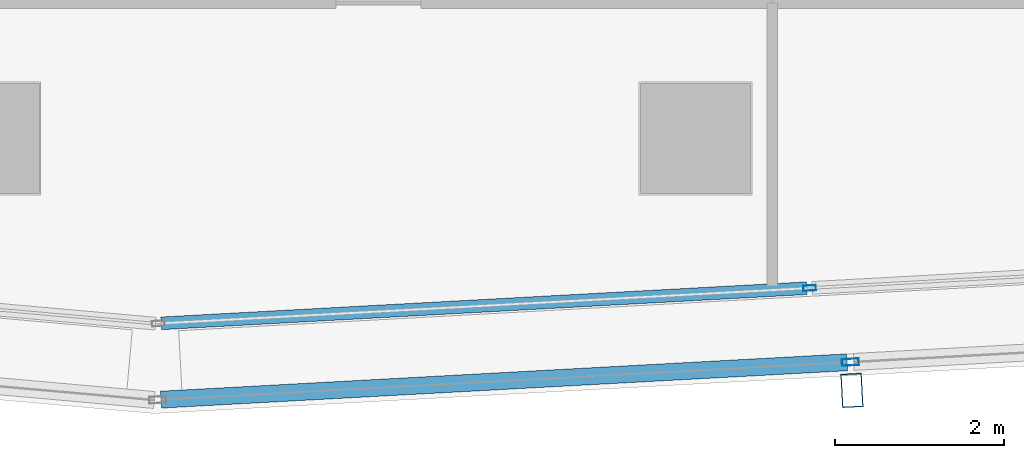
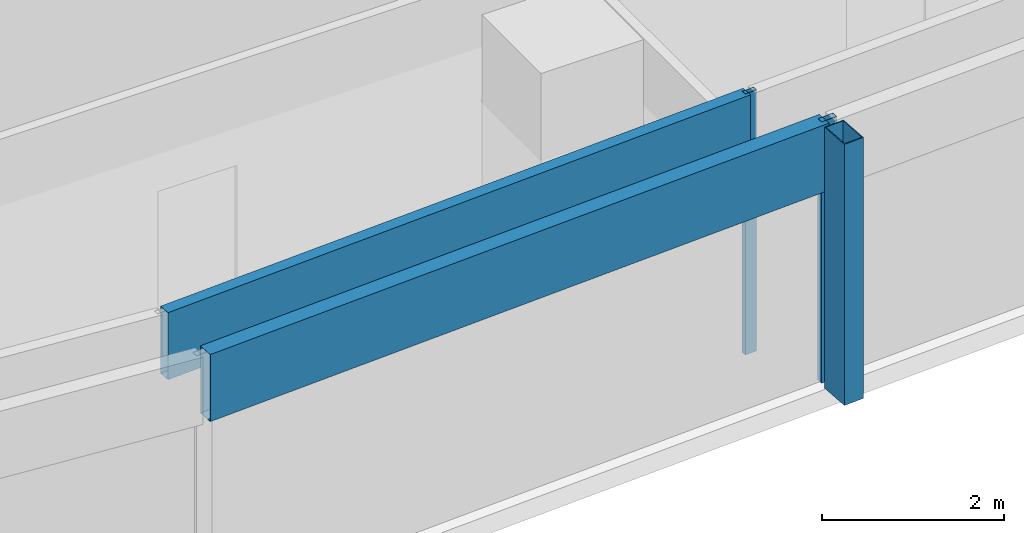
# One storey, part 6 of 28: 5 members, 2 elements without a shape of their own.
"""IFC4 building model written with IfcOpenShell, lengths in metres."""

import ifcopenshell
import ifcopenshell.guid

model = None  # the IFC model being written
_history = None  # IfcOwnerHistory: only IFC2X3 demands one
_inside = {}  # id of a spatial element -> (the spatial element, [elements in it])
_under = {}  # id of a project, library or spatial element -> (it, [spatial elements below it])
_declared = {}  # id of a project -> (the project, [libraries it declares])
_typed = {}  # id of a type object -> (the type object, [elements of that type])
_made_of = {}  # id of a material, layer set ... -> (it, [elements and type objects made of it])


def new_model(schema):
    """Start an empty IFC model of exactly this schema.

    Asked for "IFC4X3", IfcOpenShell would pick the latest addendum, in which some entities
    have other attributes; the version numbers below select the first issue.
    IFC2X3 requires an IfcOwnerHistory on every rooted entity: one is made here for all.
    """
    global model, _history
    if schema == "IFC4X3":
        model = ifcopenshell.file(schema_version=(4, 3, 0, 0))
    else:
        model = ifcopenshell.file(schema=schema)
    _inside.clear()
    _under.clear()
    _declared.clear()
    _typed.clear()
    _made_of.clear()
    _history = None
    if model.schema == "IFC2X3":
        org = make("IfcOrganization", Name="unknown")
        user = make(
            "IfcPersonAndOrganization",
            ThePerson=make("IfcPerson", FamilyName="unknown"),
            TheOrganization=org,
        )
        app = make(
            "IfcApplication",
            ApplicationDeveloper=org,
            Version="unknown",
            ApplicationFullName="unknown",
            ApplicationIdentifier="unknown",
        )
        _history = make(
            "IfcOwnerHistory",
            OwningUser=user,
            OwningApplication=app,
            ChangeAction="ADDED",
            CreationDate=0,
        )
    return model


def make(cls, **values):
    """One entity of the class cls with the attributes given. An attribute that is None is left unset."""
    return model.create_entity(
        cls, **{name: value for name, value in values.items() if value is not None}
    )


def rooted(cls, **values):
    """An entity with a GlobalId (a new one), such as an element, a storey or a relation."""
    return make(cls, GlobalId=ifcopenshell.guid.new(), OwnerHistory=_history, **values)


def si_unit(unit_type, name, prefix=None):
    """IfcSIUnit, for example si_unit("LENGTHUNIT", "METRE", prefix="MILLI")."""
    return make("IfcSIUnit", UnitType=unit_type, Prefix=prefix, Name=name)


def assignment(units):
    """IfcUnitAssignment: the units of a project."""
    return None if units is None else make("IfcUnitAssignment", Units=units)


def point(xyz):
    """IfcCartesianPoint."""
    return None if xyz is None else make("IfcCartesianPoint", Coordinates=xyz)


def direction(xyz):
    """IfcDirection."""
    return None if xyz is None else make("IfcDirection", DirectionRatios=xyz)


def frame(location, z_axis=None, x_axis=None):
    """IfcAxis2Placement3D, a coordinate frame: its origin and axes. An axis left out is left unset."""
    return make(
        "IfcAxis2Placement3D",
        Location=point(location),
        Axis=direction(z_axis),
        RefDirection=direction(x_axis),
    )


def frame_2d(location, x_axis=None):
    """IfcAxis2Placement2D, a coordinate frame in the plane: its origin and x axis."""
    return make(
        "IfcAxis2Placement2D", Location=point(location), RefDirection=direction(x_axis)
    )


def origin():
    """The frame at (0, 0, 0) with its axes left unset."""
    return frame((0.0, 0.0, 0.0))


def origin_2d():
    """The frame at (0, 0) in the plane with its x axis left unset."""
    return frame_2d((0.0, 0.0))


def place(relative_to, where):
    """IfcLocalPlacement: puts the frame where relative to a parent placement (None: the world)."""
    return make(
        "IfcLocalPlacement", PlacementRelTo=relative_to, RelativePlacement=where
    )


def context(
    kind, dimensions, precision=None, world=None, true_north=None, identifier=None
):
    """IfcGeometricRepresentationContext, for example the 3D "Model" context."""
    return make(
        "IfcGeometricRepresentationContext",
        ContextIdentifier=identifier,
        ContextType=kind,
        CoordinateSpaceDimension=dimensions,
        Precision=precision,
        WorldCoordinateSystem=world,
        TrueNorth=true_north,
    )


def subcontext(parent, identifier, kind, view, scale=None):
    """IfcGeometricRepresentationSubContext, for example "Body" below "Model"."""
    return make(
        "IfcGeometricRepresentationSubContext",
        ContextIdentifier=identifier,
        ContextType=kind,
        ParentContext=parent,
        TargetScale=scale,
        TargetView=view,
    )


def project(units=None, contexts=None):
    """IfcProject with its units and contexts."""
    return rooted(
        "IfcProject",
        Name="project",
        RepresentationContexts=contexts,
        UnitsInContext=assignment(units),
    )


def spatial(cls, under=None, at=None, **own):
    """A site, building, storey or space (cls), placed at a placement, below another one or the project."""
    s = rooted(cls, ObjectPlacement=at, **own)
    if under is not None:
        _under.setdefault(under.id(), (under, []))[1].append(s)
    return s


def profile(cls, at=None, kind="AREA", **sizes):
    """A parametric profile (cls). Its sizes go by their IFC names, for example OverallWidth=200.0."""
    return make(cls, ProfileType=kind, Position=at, **sizes)


def hollow_rectangle(**sizes):
    """IfcRectangleHollowProfileDef."""
    return profile("IfcRectangleHollowProfileDef", **sizes)


def extrude(swept, where, along, depth):
    """IfcExtrudedAreaSolid: the profile swept, set in the frame where, extruded along a direction by depth."""
    return make(
        "IfcExtrudedAreaSolid",
        SweptArea=swept,
        Position=where,
        ExtrudedDirection=direction(along),
        Depth=depth,
    )


def shape(context_of_items, identifier, shape_type, items):
    """IfcShapeRepresentation: the items that make up one representation, for example the "Body"."""
    return make(
        "IfcShapeRepresentation",
        ContextOfItems=context_of_items,
        RepresentationIdentifier=identifier,
        RepresentationType=shape_type,
        Items=items,
    )


def material(Name=None, Category=None):
    """IfcMaterial."""
    return make("IfcMaterial", Name=Name, Category=Category)


def material_profile(
    of_material, cross_section, Name=None, Category=None, Priority=None
):
    """IfcMaterialProfile: a cross section and its material."""
    return make(
        "IfcMaterialProfile",
        Name=Name,
        Material=of_material,
        Profile=cross_section,
        Priority=Priority,
        Category=Category,
    )


def profile_set(profiles, Name=None, composite=None):
    """IfcMaterialProfileSet."""
    return make(
        "IfcMaterialProfileSet",
        Name=Name,
        MaterialProfiles=profiles,
        CompositeProfile=composite,
    )


def made_of(thing, what):
    """Note that an element or type object is made of a material, layer set ...; save() writes the relation."""
    if what is not None:
        _made_of.setdefault(what.id(), (what, []))[1].append(thing)
    return thing


def type_object(cls, material=None, **own):
    """A type object (cls), such as IfcWallType, which elements share."""
    return made_of(rooted(cls, **own), material)


def element(
    cls,
    number,
    at=None,
    inside=None,
    cuts=None,
    type_object=None,
    material=None,
    context=None,
    identifier="Body",
    shape_type=None,
    held_by="IfcProductDefinitionShape",
    body=None,
    shapes=None,
    **own,
):
    """One element of the class cls, such as IfcWall. Its Tag is "e" and its number.

    at: its placement. inside: the storey or other place that contains it. cuts: it is an
    opening in that element (IfcRelVoidsElement). A single representation is given by context,
    identifier, shape_type and body (its items); several are given by shapes. held_by: the class
    of the entity that holds the representations. save() writes the other relations.
    """
    e = rooted(cls, Tag="e%d" % number, ObjectPlacement=at, **own)
    if body is not None:
        shapes = [shape(context, identifier, shape_type, body)]
    if shapes is not None:
        e.Representation = make(held_by, Representations=shapes)
    if inside is not None:
        _inside.setdefault(inside.id(), (inside, []))[1].append(e)
    if cuts is not None:
        rooted(
            "IfcRelVoidsElement", RelatingBuildingElement=cuts, RelatedOpeningElement=e
        )
    if type_object is not None:
        _typed.setdefault(type_object.id(), (type_object, []))[1].append(e)
    return made_of(e, material)


def aggregate(whole, parts):
    """IfcRelAggregates: a whole, such as a stair, and the parts it consists of."""
    return rooted("IfcRelAggregates", RelatingObject=whole, RelatedObjects=parts)


def save(model, path):
    """Write the relations noted so far, then the file.

    IfcRelAggregates (storeys below a building ...), IfcRelContainedInSpatialStructure (elements
    in a storey), IfcRelDefinesByType, IfcRelAssociatesMaterial and IfcRelDeclares: one each for
    every whole, place, type object, material and project.
    """
    for whole, parts in _under.values():
        aggregate(whole, parts)
    for where, things in _inside.values():
        rooted(
            "IfcRelContainedInSpatialStructure",
            RelatedElements=things,
            RelatingStructure=where,
        )
    for kind, things in _typed.values():
        rooted("IfcRelDefinesByType", RelatedObjects=things, RelatingType=kind)
    for what, things in _made_of.values():
        rooted("IfcRelAssociatesMaterial", RelatedObjects=things, RelatingMaterial=what)
    for by, libraries in _declared.values():
        rooted("IfcRelDeclares", RelatingContext=by, RelatedDefinitions=libraries)
    model.write(path)


model = new_model("IFC4")

# Units and contexts
model_context = context("Model", 3, precision=1e-05, world=origin(), true_north=direction((0.0, 1.0)))
body_context = subcontext(model_context, "Body", "Model", "MODEL_VIEW")
ifc_project = project(units=[si_unit("LENGTHUNIT", "METRE"), si_unit("AREAUNIT", "SQUARE_METRE"), si_unit("VOLUMEUNIT", "CUBIC_METRE"), si_unit("PLANEANGLEUNIT", "RADIAN"), si_unit("MASSUNIT", "GRAM", prefix="KILO")], contexts=[model_context])

# Site, building, storey
site_placement = place(None, origin())
site = spatial("IfcSite", under=ifc_project, at=site_placement, CompositionType="ELEMENT")
building_placement = place(site_placement, origin())
building = spatial("IfcBuilding", under=site, at=building_placement, Name="Rekha Terrace Tower", CompositionType="ELEMENT")
storey_placement = place(building_placement, frame((0.0, 0.0, 253.85009765625)))
storey = spatial("IfcBuildingStorey", under=building, at=storey_placement, Name="L64", CompositionType="ELEMENT", Elevation=253.85009765625)

# Curtain wall, member
ifc_material_1 = material(Name="Aluminium framing", Category="aluminium")
curtain_wall_type_1 = type_object("IfcCurtainWallType", Name="CW2 double skin outer glazing", PredefinedType="USERDEFINED", material=ifc_material_1)
curtain_wall_1_placement = place(storey_placement, origin())
curtain_wall_1 = element("IfcCurtainWall", 1, at=curtain_wall_1_placement, inside=storey, type_object=curtain_wall_type_1, Name="CW2 double skin outer glazing", ObjectType="DOUBLE SKIN OUTER GLAZING", PredefinedType="USERDEFINED")
ifc_material_2 = material(Name="Steel S355 with fluorocarbon finish", Category="steel")
ifc_material_profile_1 = material_profile(ifc_material_2, hollow_rectangle(XDim=0.25, YDim=0.39990234375, WallThickness=0.012451171875, at=origin_2d()), Name="RHS400x250x12.5")
ifc_profile_set_1 = profile_set([ifc_material_profile_1], Name="Steel S355 with fluorocarbon finish")
member_type_1 = type_object("IfcMemberType", Name="BL1 facade blade RHS 400 x 250", PredefinedType="USERDEFINED", material=ifc_profile_set_1)
member_1_placement = place(storey_placement, frame((35.4482421875, 13.82373046875, 0.0), z_axis=(0.0, 0.0, 1.0), x_axis=(0.99851982155, 0.054389024366, 0.0)))
member_1 = element("IfcMember", 2, at=member_1_placement, type_object=member_type_1, Name="Facade blade", ObjectType="FACADE BLADE", PredefinedType="USERDEFINED", context=body_context, shape_type="SweptSolid", body=[
    extrude(hollow_rectangle(XDim=0.25, YDim=0.39990234375, WallThickness=0.012451171875, at=origin_2d()), origin(), (0.0, 0.0, 1.0), 3.5),
])

# Curtain wall, members
curtain_wall_type_2 = type_object("IfcCurtainWallType", Name="CW1 double skin inner glazing", PredefinedType="USERDEFINED", material=ifc_material_1)
curtain_wall_2_placement = place(storey_placement, origin())
curtain_wall_2 = element("IfcCurtainWall", 3, at=curtain_wall_2_placement, inside=storey, type_object=curtain_wall_type_2, Name="CW1 double skin inner glazing", ObjectType="DOUBLE SKIN INNER GLAZING", PredefinedType="USERDEFINED")
ifc_material_3 = material(Name="Aluminium mullion section", Category="aluminium")
ifc_material_profile_2 = material_profile(ifc_material_3, hollow_rectangle(XDim=0.06494140625, YDim=0.14990234375, WallThickness=0.00390625, at=origin_2d()), Name="AL RHS 65x150")
ifc_profile_set_2 = profile_set([ifc_material_profile_2], Name="Aluminium mullion section")
member_type_2 = type_object("IfcMemberType", Name="CW1 mullion RHS 65 x 150", PredefinedType="MULLION", material=ifc_profile_set_2)
member_2_placement = place(storey_placement, frame((34.94775390625, 15.033447265625, 0.0), z_axis=(0.0, 0.0, 1.0), x_axis=(-0.054388903036, 0.998519828159, 0.0)))
member_2 = element("IfcMember", 4, at=member_2_placement, type_object=member_type_2, Name="CW1 mullion 2", PredefinedType="MULLION", context=body_context, shape_type="SweptSolid", body=[
    extrude(hollow_rectangle(XDim=0.06494140625, YDim=0.14990234375, WallThickness=0.00390625, at=origin_2d()), origin(), (0.0, 0.0, 1.0), 3.5),
])
ifc_material_4 = material(Name="Insulated aluminium spandrel box", Category="aluminium")
ifc_material_profile_3 = material_profile(ifc_material_4, hollow_rectangle(XDim=0.14990234375, YDim=0.89990234375, WallThickness=0.0029296875, at=origin_2d()), Name="AL SPANDREL BOX 150x900")
ifc_profile_set_3 = profile_set([ifc_material_profile_3], Name="Insulated aluminium spandrel box")
member_type_3 = type_object("IfcMemberType", Name="CW1 spandrel transom 150 x 900", PredefinedType="USERDEFINED", material=ifc_profile_set_3)
member_3_placement = place(storey_placement, frame((27.287109375, 14.6162109375, 3.0498046875), z_axis=(0.998521390426, 0.054360213958, 0.0), x_axis=(-0.054360213958, 0.998521390426, 0.0)))
member_3 = element("IfcMember", 5, at=member_3_placement, type_object=member_type_3, Name="CW1 spandrel transom 1", ObjectType="TRANSOM", PredefinedType="USERDEFINED", context=body_context, shape_type="SweptSolid", body=[
    extrude(hollow_rectangle(XDim=0.14990234375, YDim=0.89990234375, WallThickness=0.0029296875, at=origin_2d()), origin(), (0.0, 0.0, 1.0), 7.639404296875),
])
aggregate(curtain_wall_2, [member_2, member_3])

# Member
ifc_material_profile_4 = material_profile(ifc_material_3, hollow_rectangle(XDim=0.080078125, YDim=0.199951171875, WallThickness=0.00390625, at=origin_2d()), Name="AL RHS 80x200")
ifc_profile_set_4 = profile_set([ifc_material_profile_4], Name="Aluminium mullion section")
member_type_4 = type_object("IfcMemberType", Name="CW2 mullion RHS 80 x 200", PredefinedType="MULLION", material=ifc_profile_set_4)
member_4_placement = place(storey_placement, frame((35.429931640625, 14.158203125, 0.0), z_axis=(0.0, 0.0, 1.0), x_axis=(-0.054388903071, 0.998519828157, 0.0)))
member_4 = element("IfcMember", 6, at=member_4_placement, type_object=member_type_4, Name="CW2 mullion 2", PredefinedType="MULLION", context=body_context, shape_type="SweptSolid", body=[
    extrude(hollow_rectangle(XDim=0.080078125, YDim=0.199951171875, WallThickness=0.00390625, at=origin_2d()), origin(), (0.0, 0.0, 1.0), 3.5),
])

ifc_material_profile_5 = material_profile(ifc_material_4, hollow_rectangle(XDim=0.199951171875, YDim=0.89990234375, WallThickness=0.0029296875, at=origin_2d()), Name="AL SPANDREL BOX 200x900")
ifc_profile_set_5 = profile_set([ifc_material_profile_5], Name="Insulated aluminium spandrel box")
member_type_5 = type_object("IfcMemberType", Name="CW2 spandrel transom 200 x 900", PredefinedType="USERDEFINED", material=ifc_profile_set_5)
member_5_placement = place(storey_placement, frame((27.28662109375, 13.71484375, 3.0498046875), z_axis=(0.998521383998, 0.054360332034, 0.0), x_axis=(-0.054360332034, 0.998521383998, 0.0)))
member_5 = element("IfcMember", 7, at=member_5_placement, type_object=member_type_5, Name="CW2 spandrel transom 1", ObjectType="TRANSOM", PredefinedType="USERDEFINED", context=body_context, shape_type="SweptSolid", body=[
    extrude(hollow_rectangle(XDim=0.199951171875, YDim=0.89990234375, WallThickness=0.0029296875, at=origin_2d()), origin(), (0.0, 0.0, 1.0), 8.115478515625),
])

aggregate(curtain_wall_1, [member_4, member_5, member_1])

save(model, "model.ifc")
